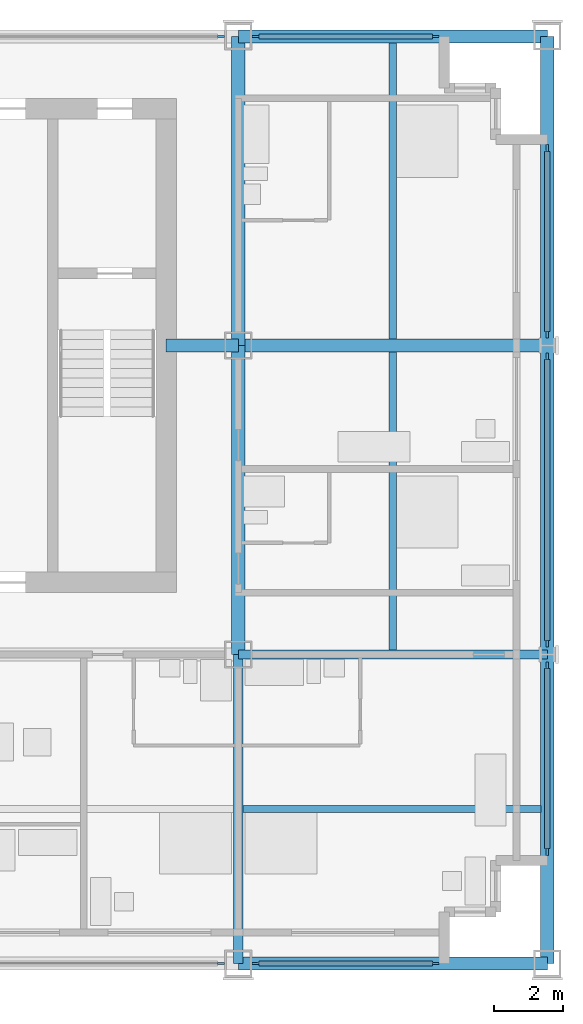
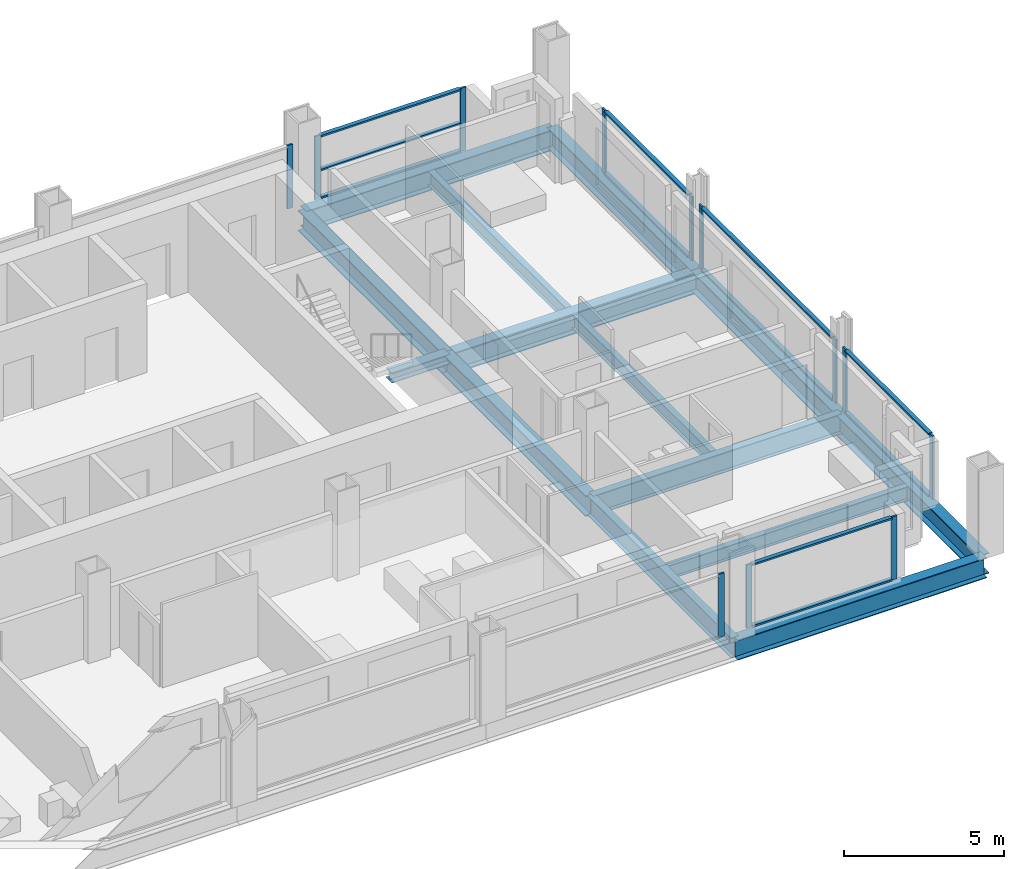
# One storey, part 5 of 13: 24 members, 13 beams, 7 elements without a shape of their own.
"""IFC4 building model written with IfcOpenShell, lengths in metres."""

import ifcopenshell
import ifcopenshell.guid

model = None  # the IFC model being written
_history = None  # IfcOwnerHistory: only IFC2X3 demands one
_inside = {}  # id of a spatial element -> (the spatial element, [elements in it])
_under = {}  # id of a project, library or spatial element -> (it, [spatial elements below it])
_declared = {}  # id of a project -> (the project, [libraries it declares])
_typed = {}  # id of a type object -> (the type object, [elements of that type])
_made_of = {}  # id of a material, layer set ... -> (it, [elements and type objects made of it])


def new_model(schema):
    """Start an empty IFC model of exactly this schema.

    Asked for "IFC4X3", IfcOpenShell would pick the latest addendum, in which some entities
    have other attributes; the version numbers below select the first issue.
    IFC2X3 requires an IfcOwnerHistory on every rooted entity: one is made here for all.
    """
    global model, _history
    if schema == "IFC4X3":
        model = ifcopenshell.file(schema_version=(4, 3, 0, 0))
    else:
        model = ifcopenshell.file(schema=schema)
    _inside.clear()
    _under.clear()
    _declared.clear()
    _typed.clear()
    _made_of.clear()
    _history = None
    if model.schema == "IFC2X3":
        org = make("IfcOrganization", Name="unknown")
        user = make(
            "IfcPersonAndOrganization",
            ThePerson=make("IfcPerson", FamilyName="unknown"),
            TheOrganization=org,
        )
        app = make(
            "IfcApplication",
            ApplicationDeveloper=org,
            Version="unknown",
            ApplicationFullName="unknown",
            ApplicationIdentifier="unknown",
        )
        _history = make(
            "IfcOwnerHistory",
            OwningUser=user,
            OwningApplication=app,
            ChangeAction="ADDED",
            CreationDate=0,
        )
    return model


def make(cls, **values):
    """One entity of the class cls with the attributes given. An attribute that is None is left unset."""
    return model.create_entity(
        cls, **{name: value for name, value in values.items() if value is not None}
    )


def rooted(cls, **values):
    """An entity with a GlobalId (a new one), such as an element, a storey or a relation."""
    return make(cls, GlobalId=ifcopenshell.guid.new(), OwnerHistory=_history, **values)


def si_unit(unit_type, name, prefix=None):
    """IfcSIUnit, for example si_unit("LENGTHUNIT", "METRE", prefix="MILLI")."""
    return make("IfcSIUnit", UnitType=unit_type, Prefix=prefix, Name=name)


def assignment(units):
    """IfcUnitAssignment: the units of a project."""
    return None if units is None else make("IfcUnitAssignment", Units=units)


def point(xyz):
    """IfcCartesianPoint."""
    return None if xyz is None else make("IfcCartesianPoint", Coordinates=xyz)


def direction(xyz):
    """IfcDirection."""
    return None if xyz is None else make("IfcDirection", DirectionRatios=xyz)


def frame(location, z_axis=None, x_axis=None):
    """IfcAxis2Placement3D, a coordinate frame: its origin and axes. An axis left out is left unset."""
    return make(
        "IfcAxis2Placement3D",
        Location=point(location),
        Axis=direction(z_axis),
        RefDirection=direction(x_axis),
    )


def frame_2d(location, x_axis=None):
    """IfcAxis2Placement2D, a coordinate frame in the plane: its origin and x axis."""
    return make(
        "IfcAxis2Placement2D", Location=point(location), RefDirection=direction(x_axis)
    )


def origin():
    """The frame at (0, 0, 0) with its axes left unset."""
    return frame((0.0, 0.0, 0.0))


def origin_2d():
    """The frame at (0, 0) in the plane with its x axis left unset."""
    return frame_2d((0.0, 0.0))


def place(relative_to, where):
    """IfcLocalPlacement: puts the frame where relative to a parent placement (None: the world)."""
    return make(
        "IfcLocalPlacement", PlacementRelTo=relative_to, RelativePlacement=where
    )


def context(
    kind, dimensions, precision=None, world=None, true_north=None, identifier=None
):
    """IfcGeometricRepresentationContext, for example the 3D "Model" context."""
    return make(
        "IfcGeometricRepresentationContext",
        ContextIdentifier=identifier,
        ContextType=kind,
        CoordinateSpaceDimension=dimensions,
        Precision=precision,
        WorldCoordinateSystem=world,
        TrueNorth=true_north,
    )


def subcontext(parent, identifier, kind, view, scale=None):
    """IfcGeometricRepresentationSubContext, for example "Body" below "Model"."""
    return make(
        "IfcGeometricRepresentationSubContext",
        ContextIdentifier=identifier,
        ContextType=kind,
        ParentContext=parent,
        TargetScale=scale,
        TargetView=view,
    )


def project(units=None, contexts=None):
    """IfcProject with its units and contexts."""
    return rooted(
        "IfcProject",
        Name="project",
        RepresentationContexts=contexts,
        UnitsInContext=assignment(units),
    )


def spatial(cls, under=None, at=None, **own):
    """A site, building, storey or space (cls), placed at a placement, below another one or the project."""
    s = rooted(cls, ObjectPlacement=at, **own)
    if under is not None:
        _under.setdefault(under.id(), (under, []))[1].append(s)
    return s


def profile(cls, at=None, kind="AREA", **sizes):
    """A parametric profile (cls). Its sizes go by their IFC names, for example OverallWidth=200.0."""
    return make(cls, ProfileType=kind, Position=at, **sizes)


def rectangle(**sizes):
    """IfcRectangleProfileDef."""
    return profile("IfcRectangleProfileDef", **sizes)


def i_section(**sizes):
    """IfcIShapeProfileDef."""
    return profile("IfcIShapeProfileDef", **sizes)


def extrude(swept, where, along, depth):
    """IfcExtrudedAreaSolid: the profile swept, set in the frame where, extruded along a direction by depth."""
    return make(
        "IfcExtrudedAreaSolid",
        SweptArea=swept,
        Position=where,
        ExtrudedDirection=direction(along),
        Depth=depth,
    )


def shape(context_of_items, identifier, shape_type, items):
    """IfcShapeRepresentation: the items that make up one representation, for example the "Body"."""
    return make(
        "IfcShapeRepresentation",
        ContextOfItems=context_of_items,
        RepresentationIdentifier=identifier,
        RepresentationType=shape_type,
        Items=items,
    )


def material(Name=None, Category=None):
    """IfcMaterial."""
    return make("IfcMaterial", Name=Name, Category=Category)


def material_profile(
    of_material, cross_section, Name=None, Category=None, Priority=None
):
    """IfcMaterialProfile: a cross section and its material."""
    return make(
        "IfcMaterialProfile",
        Name=Name,
        Material=of_material,
        Profile=cross_section,
        Priority=Priority,
        Category=Category,
    )


def profile_set(profiles, Name=None, composite=None):
    """IfcMaterialProfileSet."""
    return make(
        "IfcMaterialProfileSet",
        Name=Name,
        MaterialProfiles=profiles,
        CompositeProfile=composite,
    )


def made_of(thing, what):
    """Note that an element or type object is made of a material, layer set ...; save() writes the relation."""
    if what is not None:
        _made_of.setdefault(what.id(), (what, []))[1].append(thing)
    return thing


def type_object(cls, material=None, **own):
    """A type object (cls), such as IfcWallType, which elements share."""
    return made_of(rooted(cls, **own), material)


def element(
    cls,
    number,
    at=None,
    inside=None,
    cuts=None,
    type_object=None,
    material=None,
    context=None,
    identifier="Body",
    shape_type=None,
    held_by="IfcProductDefinitionShape",
    body=None,
    shapes=None,
    **own,
):
    """One element of the class cls, such as IfcWall. Its Tag is "e" and its number.

    at: its placement. inside: the storey or other place that contains it. cuts: it is an
    opening in that element (IfcRelVoidsElement). A single representation is given by context,
    identifier, shape_type and body (its items); several are given by shapes. held_by: the class
    of the entity that holds the representations. save() writes the other relations.
    """
    e = rooted(cls, Tag="e%d" % number, ObjectPlacement=at, **own)
    if body is not None:
        shapes = [shape(context, identifier, shape_type, body)]
    if shapes is not None:
        e.Representation = make(held_by, Representations=shapes)
    if inside is not None:
        _inside.setdefault(inside.id(), (inside, []))[1].append(e)
    if cuts is not None:
        rooted(
            "IfcRelVoidsElement", RelatingBuildingElement=cuts, RelatedOpeningElement=e
        )
    if type_object is not None:
        _typed.setdefault(type_object.id(), (type_object, []))[1].append(e)
    return made_of(e, material)


def aggregate(whole, parts):
    """IfcRelAggregates: a whole, such as a stair, and the parts it consists of."""
    return rooted("IfcRelAggregates", RelatingObject=whole, RelatedObjects=parts)


def save(model, path):
    """Write the relations noted so far, then the file.

    IfcRelAggregates (storeys below a building ...), IfcRelContainedInSpatialStructure (elements
    in a storey), IfcRelDefinesByType, IfcRelAssociatesMaterial and IfcRelDeclares: one each for
    every whole, place, type object, material and project.
    """
    for whole, parts in _under.values():
        aggregate(whole, parts)
    for where, things in _inside.values():
        rooted(
            "IfcRelContainedInSpatialStructure",
            RelatedElements=things,
            RelatingStructure=where,
        )
    for kind, things in _typed.values():
        rooted("IfcRelDefinesByType", RelatedObjects=things, RelatingType=kind)
    for what, things in _made_of.values():
        rooted("IfcRelAssociatesMaterial", RelatedObjects=things, RelatingMaterial=what)
    for by, libraries in _declared.values():
        rooted("IfcRelDeclares", RelatingContext=by, RelatedDefinitions=libraries)
    model.write(path)


model = new_model("IFC4")

# Units and contexts
model_context = context("Model", 3, precision=1e-05, world=origin(), true_north=direction((0.0, 1.0)))
body_context = subcontext(model_context, "Body", "Model", "MODEL_VIEW")
ifc_project = project(units=[si_unit("LENGTHUNIT", "METRE"), si_unit("AREAUNIT", "SQUARE_METRE"), si_unit("VOLUMEUNIT", "CUBIC_METRE"), si_unit("PLANEANGLEUNIT", "RADIAN"), si_unit("MASSUNIT", "GRAM", prefix="KILO")], contexts=[model_context])

# Site, building, storey
site_placement = place(None, origin())
site = spatial("IfcSite", under=ifc_project, at=site_placement, CompositionType="ELEMENT")
building_placement = place(site_placement, origin())
building = spatial("IfcBuilding", under=site, at=building_placement, Name="Loomwork Tower", CompositionType="ELEMENT")
storey_placement = place(building_placement, frame((0.0, 0.0, 211.39990234375)))
storey = spatial("IfcBuildingStorey", under=building, at=storey_placement, Name="L58", CompositionType="ELEMENT", Elevation=211.39990234375)

# Beams
ifc_material_1 = material(Name="Steel ASTM A992", Category="steel")
ifc_material_profile_1 = material_profile(ifc_material_1, i_section(OverallWidth=0.383544921875, OverallDepth=0.794921875, WebThickness=0.02099609375, FlangeThickness=0.0380859375, at=origin_2d()), Name="W30x235")
ifc_profile_set_1 = profile_set([ifc_material_profile_1], Name="Steel ASTM A992")
beam_type_1 = type_object("IfcBeamType", Name="CORE FLANK GIRDER W30x235", PredefinedType="BEAM", material=ifc_profile_set_1)
for number, where, z_axis, x_axis, name in (
    (1, (36.0, 18.0, -0.597412109375), (1.0, 0.0, 0.0), (0.0, 1.0, 0.0), "Core Flank Girder F/6-F/7 L58"),
    (2, (36.0, 9.0, -0.597412109375), (0.0, 1.0, 0.0), (-1.0, 0.0, 0.0), "Core Flank Girder E/6-F/6 L58"),
    (3, (36.0, 18.0, -0.597412109375), (0.0, 1.0, 0.0), (-1.0, 0.0, 0.0), "Core Flank Girder F/6-G/6 L58"),
):
    element("IfcBeam", number, at=place(storey_placement, frame(where, z_axis=z_axis, x_axis=x_axis)), inside=storey, type_object=beam_type_1, Name=name, PredefinedType="BEAM", context=body_context, shape_type="SweptSolid", body=[
        extrude(i_section(OverallWidth=0.383544921875, OverallDepth=0.794921875, WebThickness=0.02099609375, FlangeThickness=0.0380859375, at=origin_2d()), origin(), (0.0, 0.0, 1.0), 9.0),
    ])

# Member
ifc_material_2 = material(Name="Steel ASTM A992", Category="steel")
ifc_material_profile_2 = material_profile(ifc_material_2, i_section(OverallWidth=0.373291015625, OverallDepth=0.373291015625, WebThickness=0.016357421875, FlangeThickness=0.026123046875, at=origin_2d()), Name="W14x132")
ifc_profile_set_2 = profile_set([ifc_material_profile_2], Name="Steel ASTM A992")
member_type_1 = type_object("IfcMemberType", Name="CORE LINK STRUT W14x132", PredefinedType="STRUT", material=ifc_profile_set_2)
member_1_placement = place(storey_placement, frame((36.0, 18.0, -0.386474609375), z_axis=(-1.0, 0.0, 0.0), x_axis=(0.0, -1.0, 0.0)))
element("IfcMember", 4, at=member_1_placement, inside=storey, type_object=member_type_1, Name="Core link strut F/6-33.900,18.000 L58", PredefinedType="STRUT", context=body_context, shape_type="SweptSolid", body=[
    extrude(i_section(OverallWidth=0.373291015625, OverallDepth=0.373291015625, WebThickness=0.016357421875, FlangeThickness=0.026123046875, at=origin_2d()), origin(), (0.0, 0.0, 1.0), 2.10009765625),
])

# Beams
ifc_material_3 = material(Name="Steel ASTM A992", Category="steel")
ifc_material_profile_3 = material_profile(ifc_material_3, i_section(OverallWidth=0.2666015625, OverallDepth=0.761962890625, WebThickness=0.014404296875, FlangeThickness=0.021484375, at=origin_2d()), Name="W30x116")
ifc_profile_set_3 = profile_set([ifc_material_profile_3], Name="Steel ASTM A992")
beam_type_2 = type_object("IfcBeamType", Name="FLOOR GIRDER W30x116", PredefinedType="BEAM", material=ifc_profile_set_3)
for number, where, z_axis, x_axis, name in (
    (5, (36.0, 9.0, -0.580810546875), (1.0, 0.0, 0.0), (0.0, 1.0, 0.0), "Floor Girder E/6-E/7 L58"),
    (6, (36.0, 0.0, -0.580810546875), (0.0, 1.0, 0.0), (-1.0, 0.0, 0.0), "Floor Girder D/6-E/6 L58"),
):
    element("IfcBeam", number, at=place(storey_placement, frame(where, z_axis=z_axis, x_axis=x_axis)), inside=storey, type_object=beam_type_2, Name=name, PredefinedType="BEAM", context=body_context, shape_type="SweptSolid", body=[
        extrude(i_section(OverallWidth=0.2666015625, OverallDepth=0.761962890625, WebThickness=0.014404296875, FlangeThickness=0.021484375, at=origin_2d()), origin(), (0.0, 0.0, 1.0), 9.0),
    ])
ifc_material_4 = material(Name="Steel ASTM A992", Category="steel")
ifc_material_profile_4 = material_profile(ifc_material_4, i_section(OverallWidth=0.2109375, OverallDepth=0.53857421875, WebThickness=0.011474609375, FlangeThickness=0.018798828125, at=origin_2d()), Name="W21x73")
ifc_profile_set_4 = profile_set([ifc_material_profile_4], Name="Steel ASTM A992")
beam_type_3 = type_object("IfcBeamType", Name="FLOOR JOIST W21x73", PredefinedType="JOIST", material=ifc_profile_set_4)
beam_1_placement = place(storey_placement, frame((36.133056640625, 4.5, -0.46923828125), z_axis=(1.0, 0.0, 0.0), x_axis=(0.0, 1.0, 0.0)))
element("IfcBeam", 7, at=beam_1_placement, inside=storey, type_object=beam_type_3, Name="Floor Joist 36.000,4.500-45.000,4.500 L58", PredefinedType="JOIST", context=body_context, shape_type="SweptSolid", body=[
    extrude(i_section(OverallWidth=0.2109375, OverallDepth=0.53857421875, WebThickness=0.011474609375, FlangeThickness=0.018798828125, at=origin_2d()), origin(), (0.0, 0.0, 1.0), 8.677001953125),
])
beam_2_placement = place(storey_placement, frame((40.5, 9.133056640625, -0.46923828125), z_axis=(0.0, 1.0, 0.0), x_axis=(-1.0, 0.0, 0.0)))
element("IfcBeam", 8, at=beam_2_placement, inside=storey, type_object=beam_type_3, Name="Floor Joist 40.500,9.000-40.500,18.000 L58", PredefinedType="JOIST", context=body_context, shape_type="SweptSolid", body=[
    extrude(i_section(OverallWidth=0.2109375, OverallDepth=0.53857421875, WebThickness=0.011474609375, FlangeThickness=0.018798828125, at=origin_2d()), origin(), (0.0, 0.0, 1.0), 8.676025390625),
])
beam_3_placement = place(storey_placement, frame((40.5, 18.19091796875, -0.46923828125), z_axis=(0.0, 1.0, 0.0), x_axis=(-1.0, 0.0, 0.0)))
element("IfcBeam", 9, at=beam_3_placement, inside=storey, type_object=beam_type_3, Name="Floor Joist 40.500,18.000-40.500,27.000 L58", PredefinedType="JOIST", context=body_context, shape_type="SweptSolid", body=[
    extrude(i_section(OverallWidth=0.2109375, OverallDepth=0.53857421875, WebThickness=0.011474609375, FlangeThickness=0.018798828125, at=origin_2d()), origin(), (0.0, 0.0, 1.0), 8.619140625),
])

# Curtain wall, member
ifc_material_5 = material(Name="Aluminium curtain wall frame", Category="aluminium")
curtain_wall_type_1 = type_object("IfcCurtainWallType", Name="Outer skin glazing hotel", PredefinedType="NOTDEFINED", material=ifc_material_5)
curtain_wall_1_placement = place(storey_placement, origin())
curtain_wall_1 = element("IfcCurtainWall", 10, at=curtain_wall_1_placement, inside=storey, type_object=curtain_wall_type_1, Name="Outer skin glazing hotel cw/S-27", PredefinedType="NOTDEFINED")
ifc_material_6 = material(Name="Aluminium curtain wall frame", Category="aluminium")
ifc_material_profile_5 = material_profile(ifc_material_6, rectangle(XDim=0.06494140625, YDim=0.199951171875, at=origin_2d()), Name="AL 65x200")
ifc_profile_set_5 = profile_set([ifc_material_profile_5], Name="Aluminium curtain wall frame")
member_type_2 = type_object("IfcMemberType", Name="Outer skin glazing hotel mullion", PredefinedType="MULLION", material=ifc_profile_set_5)
member_2_placement = place(storey_placement, frame((35.5, 0.0, 0.0), z_axis=(0.0, 0.0, 1.0), x_axis=(0.0, 1.0, 0.0)))
member_2 = element("IfcMember", 11, at=member_2_placement, type_object=member_type_2, Name="CW1 mullion 2", PredefinedType="MULLION", context=body_context, shape_type="SweptSolid", body=[
    extrude(rectangle(XDim=0.06494140625, YDim=0.199951171875, at=origin_2d()), origin(), (0.0, 0.0, 1.0), 2.42041015625),
])
aggregate(curtain_wall_1, [member_2])

# Curtain wall, members
curtain_wall_2_placement = place(storey_placement, origin())
curtain_wall_2 = element("IfcCurtainWall", 12, at=curtain_wall_2_placement, inside=storey, type_object=curtain_wall_type_1, Name="Outer skin glazing hotel cw/S-36", PredefinedType="NOTDEFINED")
member_3_placement = place(storey_placement, frame((36.5, 0.0, 0.0), z_axis=(0.0, 0.0, 1.0), x_axis=(0.0, 1.0, 0.0)))
member_3 = element("IfcMember", 13, at=member_3_placement, type_object=member_type_2, Name="CW1 mullion 1", PredefinedType="MULLION", context=body_context, shape_type="SweptSolid", body=[
    extrude(rectangle(XDim=0.06494140625, YDim=0.199951171875, at=origin_2d()), origin(), (0.0, 0.0, 1.0), 2.42041015625),
])
member_4_placement = place(storey_placement, frame((41.75, 0.0, 0.0), z_axis=(0.0, 0.0, 1.0), x_axis=(0.0, 1.0, 0.0)))
member_4 = element("IfcMember", 14, at=member_4_placement, type_object=member_type_2, Name="CW1 mullion 2", PredefinedType="MULLION", context=body_context, shape_type="SweptSolid", body=[
    extrude(rectangle(XDim=0.06494140625, YDim=0.199951171875, at=origin_2d()), origin(), (0.0, 0.0, 1.0), 2.42041015625),
])

curtain_wall_3_placement = place(storey_placement, origin())
curtain_wall_3 = element("IfcCurtainWall", 15, at=curtain_wall_3_placement, inside=storey, type_object=curtain_wall_type_1, Name="Outer skin glazing hotel cw/E-0", PredefinedType="NOTDEFINED")
member_5_placement = place(storey_placement, frame((45.0, 3.25, 0.0), z_axis=(0.0, 0.0, 1.0), x_axis=(-1.0, 0.0, 0.0)))
member_5 = element("IfcMember", 16, at=member_5_placement, type_object=member_type_2, Name="CW1 mullion 1", PredefinedType="MULLION", context=body_context, shape_type="SweptSolid", body=[
    extrude(rectangle(XDim=0.06494140625, YDim=0.199951171875, at=origin_2d()), origin(), (0.0, 0.0, 1.0), 2.42041015625),
])
member_6_placement = place(storey_placement, frame((45.0, 8.6865234375, 0.0), z_axis=(0.0, 0.0, 1.0), x_axis=(-1.0, 0.0, 0.0)))
member_6 = element("IfcMember", 17, at=member_6_placement, type_object=member_type_2, Name="CW1 mullion 2", PredefinedType="MULLION", context=body_context, shape_type="SweptSolid", body=[
    extrude(rectangle(XDim=0.06494140625, YDim=0.199951171875, at=origin_2d()), origin(), (0.0, 0.0, 1.0), 2.42041015625),
])

curtain_wall_4_placement = place(storey_placement, origin())
curtain_wall_4 = element("IfcCurtainWall", 18, at=curtain_wall_4_placement, inside=storey, type_object=curtain_wall_type_1, Name="Outer skin glazing hotel cw/E-9", PredefinedType="NOTDEFINED")
member_7_placement = place(storey_placement, frame((45.0, 9.3134765625, 0.0), z_axis=(0.0, 0.0, 1.0), x_axis=(-1.0, 0.0, 0.0)))
member_7 = element("IfcMember", 19, at=member_7_placement, type_object=member_type_2, Name="CW1 mullion 1", PredefinedType="MULLION", context=body_context, shape_type="SweptSolid", body=[
    extrude(rectangle(XDim=0.06494140625, YDim=0.199951171875, at=origin_2d()), origin(), (0.0, 0.0, 1.0), 2.42041015625),
])
member_8_placement = place(storey_placement, frame((45.0, 17.6865234375, 0.0), z_axis=(0.0, 0.0, 1.0), x_axis=(-1.0, 0.0, 0.0)))
member_8 = element("IfcMember", 20, at=member_8_placement, type_object=member_type_2, Name="CW1 mullion 2", PredefinedType="MULLION", context=body_context, shape_type="SweptSolid", body=[
    extrude(rectangle(XDim=0.06494140625, YDim=0.199951171875, at=origin_2d()), origin(), (0.0, 0.0, 1.0), 2.42041015625),
])

curtain_wall_5_placement = place(storey_placement, origin())
curtain_wall_5 = element("IfcCurtainWall", 21, at=curtain_wall_5_placement, inside=storey, type_object=curtain_wall_type_1, Name="Outer skin glazing hotel cw/E-18", PredefinedType="NOTDEFINED")
member_9_placement = place(storey_placement, frame((45.0, 18.3134765625, 0.0), z_axis=(0.0, 0.0, 1.0), x_axis=(-1.0, 0.0, 0.0)))
member_9 = element("IfcMember", 22, at=member_9_placement, type_object=member_type_2, Name="CW1 mullion 1", PredefinedType="MULLION", context=body_context, shape_type="SweptSolid", body=[
    extrude(rectangle(XDim=0.06494140625, YDim=0.199951171875, at=origin_2d()), origin(), (0.0, 0.0, 1.0), 2.42041015625),
])
member_10_placement = place(storey_placement, frame((45.0, 23.75, 0.0), z_axis=(0.0, 0.0, 1.0), x_axis=(-1.0, 0.0, 0.0)))
member_10 = element("IfcMember", 23, at=member_10_placement, type_object=member_type_2, Name="CW1 mullion 2", PredefinedType="MULLION", context=body_context, shape_type="SweptSolid", body=[
    extrude(rectangle(XDim=0.06494140625, YDim=0.199951171875, at=origin_2d()), origin(), (0.0, 0.0, 1.0), 2.42041015625),
])

# Member
ifc_material_7 = material(Name="Aluminium curtain wall frame", Category="aluminium")
ifc_material_profile_6 = material_profile(ifc_material_7, rectangle(XDim=0.14990234375, YDim=0.06494140625, at=origin_2d()), Name="AL 65x150")
ifc_profile_set_6 = profile_set([ifc_material_profile_6], Name="Aluminium curtain wall frame")
member_type_3 = type_object("IfcMemberType", Name="Outer skin glazing hotel transom", PredefinedType="USERDEFINED", material=ifc_profile_set_6)
member_11_placement = place(storey_placement, frame((36.60009765625, 0.0, 0.03271484375), z_axis=(1.0, 0.0, 0.0), x_axis=(0.0, 1.0, 0.0)))
member_11 = element("IfcMember", 24, at=member_11_placement, type_object=member_type_3, Name="CW1 transom 1.1", ObjectType="TRANSOM", PredefinedType="USERDEFINED", context=body_context, shape_type="SweptSolid", body=[
    extrude(rectangle(XDim=0.14990234375, YDim=0.06494140625, at=origin_2d()), origin(), (0.0, 0.0, 1.0), 5.0498046875),
])

member_12_placement = place(storey_placement, frame((36.60009765625, 0.0, 2.3876953125), z_axis=(1.0, 0.0, 0.0), x_axis=(0.0, 1.0, 0.0)))
member_12 = element("IfcMember", 25, at=member_12_placement, type_object=member_type_3, Name="CW1 transom 1.2", ObjectType="TRANSOM", PredefinedType="USERDEFINED", context=body_context, shape_type="SweptSolid", body=[
    extrude(rectangle(XDim=0.14990234375, YDim=0.06494140625, at=origin_2d()), origin(), (0.0, 0.0, 1.0), 5.0498046875),
])

aggregate(curtain_wall_2, [member_3, member_4, member_11, member_12])

member_13_placement = place(storey_placement, frame((45.0, 3.35009765625, 0.03271484375), z_axis=(0.0, 1.0, 0.0), x_axis=(-1.0, 0.0, 0.0)))
member_13 = element("IfcMember", 26, at=member_13_placement, type_object=member_type_3, Name="CW1 transom 1.1", ObjectType="TRANSOM", PredefinedType="USERDEFINED", context=body_context, shape_type="SweptSolid", body=[
    extrude(rectangle(XDim=0.14990234375, YDim=0.06494140625, at=origin_2d()), origin(), (0.0, 0.0, 1.0), 5.236572265625),
])

member_14_placement = place(storey_placement, frame((45.0, 3.35009765625, 2.3876953125), z_axis=(0.0, 1.0, 0.0), x_axis=(-1.0, 0.0, 0.0)))
member_14 = element("IfcMember", 27, at=member_14_placement, type_object=member_type_3, Name="CW1 transom 1.2", ObjectType="TRANSOM", PredefinedType="USERDEFINED", context=body_context, shape_type="SweptSolid", body=[
    extrude(rectangle(XDim=0.14990234375, YDim=0.06494140625, at=origin_2d()), origin(), (0.0, 0.0, 1.0), 5.236572265625),
])

aggregate(curtain_wall_3, [member_5, member_6, member_13, member_14])

member_15_placement = place(storey_placement, frame((45.0, 9.413330078125, 0.03271484375), z_axis=(0.0, 1.0, 0.0), x_axis=(-1.0, 0.0, 0.0)))
member_15 = element("IfcMember", 28, at=member_15_placement, type_object=member_type_3, Name="CW1 transom 1.1", ObjectType="TRANSOM", PredefinedType="USERDEFINED", context=body_context, shape_type="SweptSolid", body=[
    extrude(rectangle(XDim=0.14990234375, YDim=0.06494140625, at=origin_2d()), origin(), (0.0, 0.0, 1.0), 8.17333984375),
])

member_16_placement = place(storey_placement, frame((45.0, 9.413330078125, 2.3876953125), z_axis=(0.0, 1.0, 0.0), x_axis=(-1.0, 0.0, 0.0)))
member_16 = element("IfcMember", 29, at=member_16_placement, type_object=member_type_3, Name="CW1 transom 1.2", ObjectType="TRANSOM", PredefinedType="USERDEFINED", context=body_context, shape_type="SweptSolid", body=[
    extrude(rectangle(XDim=0.14990234375, YDim=0.06494140625, at=origin_2d()), origin(), (0.0, 0.0, 1.0), 8.17333984375),
])

aggregate(curtain_wall_4, [member_7, member_8, member_15, member_16])

member_17_placement = place(storey_placement, frame((45.0, 18.413330078125, 0.03271484375), z_axis=(0.0, 1.0, 0.0), x_axis=(-1.0, 0.0, 0.0)))
member_17 = element("IfcMember", 30, at=member_17_placement, type_object=member_type_3, Name="CW1 transom 1.1", ObjectType="TRANSOM", PredefinedType="USERDEFINED", context=body_context, shape_type="SweptSolid", body=[
    extrude(rectangle(XDim=0.14990234375, YDim=0.06494140625, at=origin_2d()), origin(), (0.0, 0.0, 1.0), 5.236572265625),
])

member_18_placement = place(storey_placement, frame((45.0, 18.413330078125, 2.3876953125), z_axis=(0.0, 1.0, 0.0), x_axis=(-1.0, 0.0, 0.0)))
member_18 = element("IfcMember", 31, at=member_18_placement, type_object=member_type_3, Name="CW1 transom 1.2", ObjectType="TRANSOM", PredefinedType="USERDEFINED", context=body_context, shape_type="SweptSolid", body=[
    extrude(rectangle(XDim=0.14990234375, YDim=0.06494140625, at=origin_2d()), origin(), (0.0, 0.0, 1.0), 5.236572265625),
])

aggregate(curtain_wall_5, [member_9, member_10, member_17, member_18])

# Beams
ifc_material_8 = material(Name="Steel ASTM A992", Category="steel")
ifc_material_profile_7 = material_profile(ifc_material_8, i_section(OverallWidth=0.381103515625, OverallDepth=0.77978515625, WebThickness=0.01806640625, FlangeThickness=0.0302734375, at=origin_2d()), Name="W30x191")
ifc_profile_set_7 = profile_set([ifc_material_profile_7], Name="Steel ASTM A992")
beam_type_4 = type_object("IfcBeamType", Name="SPANDREL GIRDER W30x191", PredefinedType="SPANDREL", material=ifc_profile_set_7)
for number, where, z_axis, x_axis, name in (
    (32, (36.0, 0.0, -0.58984375), (1.0, 0.0, 0.0), (0.0, 1.0, 0.0), "Spandrel Girder D/6-D/7 L58"),
    (33, (36.0, 27.0, -0.58984375), (1.0, 0.0, 0.0), (0.0, 1.0, 0.0), "Spandrel Girder G/6-G/7 L58"),
    (34, (45.0, 0.0, -0.58984375), (0.0, 1.0, 0.0), (-1.0, 0.0, 0.0), "Spandrel Girder D/7-E/7 L58"),
    (35, (45.0, 9.0, -0.58984375), (0.0, 1.0, 0.0), (-1.0, 0.0, 0.0), "Spandrel Girder E/7-F/7 L58"),
    (36, (45.0, 18.0, -0.58984375), (0.0, 1.0, 0.0), (-1.0, 0.0, 0.0), "Spandrel Girder F/7-G/7 L58"),
):
    element("IfcBeam", number, at=place(storey_placement, frame(where, z_axis=z_axis, x_axis=x_axis)), inside=storey, type_object=beam_type_4, Name=name, PredefinedType="SPANDREL", context=body_context, shape_type="SweptSolid", body=[
        extrude(i_section(OverallWidth=0.381103515625, OverallDepth=0.77978515625, WebThickness=0.01806640625, FlangeThickness=0.0302734375, at=origin_2d()), origin(), (0.0, 0.0, 1.0), 9.0),
    ])

# Curtain wall, member
ifc_material_9 = material(Name="Aluminium curtain wall frame", Category="aluminium")
curtain_wall_type_2 = type_object("IfcCurtainWallType", Name="Single skin glazing corridor", PredefinedType="NOTDEFINED", material=ifc_material_9)
curtain_wall_6_placement = place(storey_placement, origin())
curtain_wall_6 = element("IfcCurtainWall", 37, at=curtain_wall_6_placement, inside=storey, type_object=curtain_wall_type_2, Name="Single skin glazing corridor cw/N-27", PredefinedType="NOTDEFINED")
ifc_material_10 = material(Name="Aluminium curtain wall frame", Category="aluminium")
ifc_material_profile_8 = material_profile(ifc_material_10, rectangle(XDim=0.06494140625, YDim=0.199951171875, at=origin_2d()), Name="AL 65x200")
ifc_profile_set_8 = profile_set([ifc_material_profile_8], Name="Aluminium curtain wall frame")
member_type_4 = type_object("IfcMemberType", Name="Single skin glazing corridor mullion", PredefinedType="MULLION", material=ifc_profile_set_8)
member_19_placement = place(storey_placement, frame((35.5, 27.0, 0.0), z_axis=(0.0, 0.0, 1.0), x_axis=(0.0, -1.0, 0.0)))
member_19 = element("IfcMember", 38, at=member_19_placement, type_object=member_type_4, Name="CW3 mullion 1", PredefinedType="MULLION", context=body_context, shape_type="SweptSolid", body=[
    extrude(rectangle(XDim=0.06494140625, YDim=0.199951171875, at=origin_2d()), origin(), (0.0, 0.0, 1.0), 2.42041015625),
])
aggregate(curtain_wall_6, [member_19])

# Curtain wall, members
curtain_wall_7_placement = place(storey_placement, origin())
curtain_wall_7 = element("IfcCurtainWall", 39, at=curtain_wall_7_placement, inside=storey, type_object=curtain_wall_type_2, Name="Single skin glazing corridor cw/N-36", PredefinedType="NOTDEFINED")
member_20_placement = place(storey_placement, frame((41.75, 27.0, 0.0), z_axis=(0.0, 0.0, 1.0), x_axis=(0.0, -1.0, 0.0)))
member_20 = element("IfcMember", 40, at=member_20_placement, type_object=member_type_4, Name="CW3 mullion 1", PredefinedType="MULLION", context=body_context, shape_type="SweptSolid", body=[
    extrude(rectangle(XDim=0.06494140625, YDim=0.199951171875, at=origin_2d()), origin(), (0.0, 0.0, 1.0), 2.42041015625),
])
member_21_placement = place(storey_placement, frame((36.5, 27.0, 0.0), z_axis=(0.0, 0.0, 1.0), x_axis=(0.0, -1.0, 0.0)))
member_21 = element("IfcMember", 41, at=member_21_placement, type_object=member_type_4, Name="CW3 mullion 2", PredefinedType="MULLION", context=body_context, shape_type="SweptSolid", body=[
    extrude(rectangle(XDim=0.06494140625, YDim=0.199951171875, at=origin_2d()), origin(), (0.0, 0.0, 1.0), 2.42041015625),
])
ifc_material_11 = material(Name="Aluminium curtain wall frame", Category="aluminium")
ifc_material_profile_9 = material_profile(ifc_material_11, rectangle(XDim=0.14990234375, YDim=0.06494140625, at=origin_2d()), Name="AL 65x150")
ifc_profile_set_9 = profile_set([ifc_material_profile_9], Name="Aluminium curtain wall frame")
member_type_5 = type_object("IfcMemberType", Name="Single skin glazing corridor transom", PredefinedType="USERDEFINED", material=ifc_profile_set_9)
member_22_placement = place(storey_placement, frame((41.64990234375, 27.0, 0.03271484375), z_axis=(-1.0, 0.0, 0.0), x_axis=(0.0, -1.0, 0.0)))
member_22 = element("IfcMember", 42, at=member_22_placement, type_object=member_type_5, Name="CW3 transom 1.1", ObjectType="TRANSOM", PredefinedType="USERDEFINED", context=body_context, shape_type="SweptSolid", body=[
    extrude(rectangle(XDim=0.14990234375, YDim=0.06494140625, at=origin_2d()), origin(), (0.0, 0.0, 1.0), 5.0498046875),
])
member_23_placement = place(storey_placement, frame((41.64990234375, 27.0, 1.10009765625), z_axis=(-1.0, 0.0, 0.0), x_axis=(0.0, -1.0, 0.0)))
member_23 = element("IfcMember", 43, at=member_23_placement, type_object=member_type_5, Name="CW3 transom 1.2", ObjectType="TRANSOM", PredefinedType="USERDEFINED", context=body_context, shape_type="SweptSolid", body=[
    extrude(rectangle(XDim=0.14990234375, YDim=0.06494140625, at=origin_2d()), origin(), (0.0, 0.0, 1.0), 5.0498046875),
])
member_24_placement = place(storey_placement, frame((41.64990234375, 27.0, 2.3876953125), z_axis=(-1.0, 0.0, 0.0), x_axis=(0.0, -1.0, 0.0)))
member_24 = element("IfcMember", 44, at=member_24_placement, type_object=member_type_5, Name="CW3 transom 1.3", ObjectType="TRANSOM", PredefinedType="USERDEFINED", context=body_context, shape_type="SweptSolid", body=[
    extrude(rectangle(XDim=0.14990234375, YDim=0.06494140625, at=origin_2d()), origin(), (0.0, 0.0, 1.0), 5.0498046875),
])
aggregate(curtain_wall_7, [member_20, member_21, member_22, member_23, member_24])

save(model, "model.ifc")
